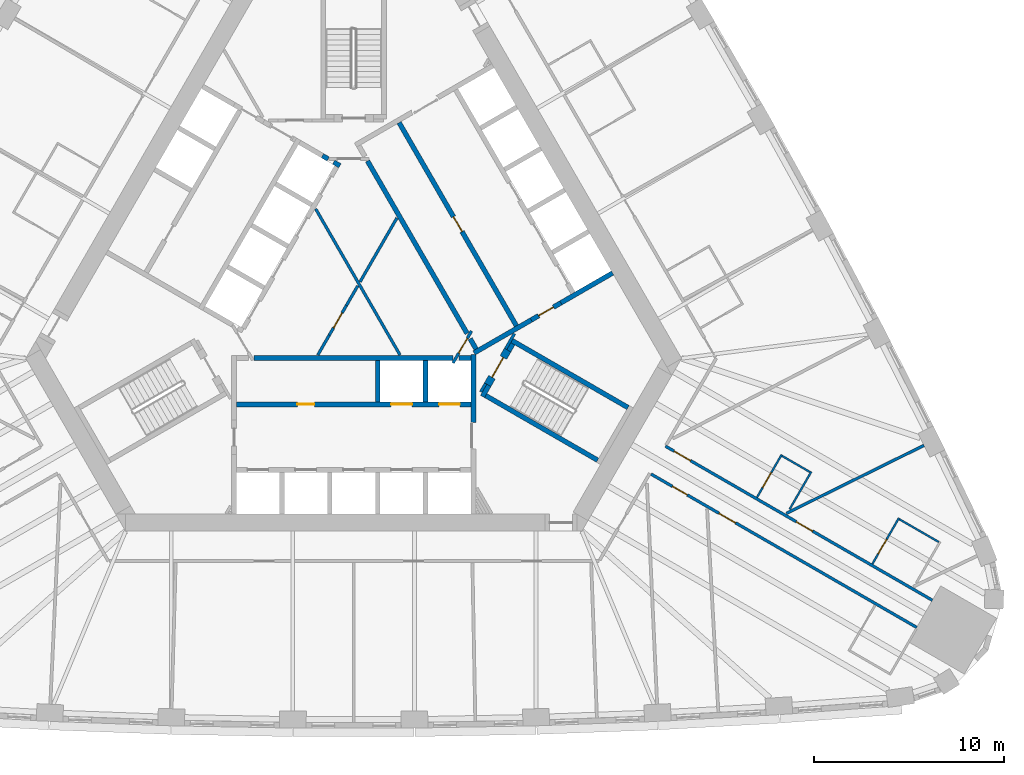
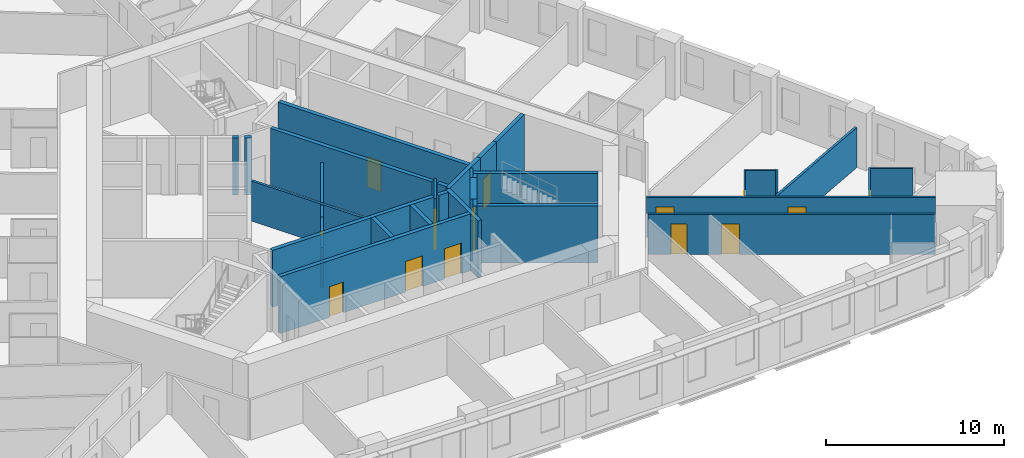
# One storey, part 7 of 12: 35 walls, 14 doors, 14 openings.
"""IFC4 building model written with IfcOpenShell, lengths in metres."""

from ifc_helpers import new_model, si_unit, direction, frame, frame_2d, origin, place, context, subcontext, project, spatial, rectangle, extrude, material, layer, layer_set, type_object, element, fill, save


model = new_model("IFC4")

# Units and contexts
model_context = context("Model", 3, precision=1e-05, world=origin(), true_north=direction((0.0, 1.0)))
body_context = subcontext(model_context, "Body", "Model", "MODEL_VIEW")
ifc_project = project(units=[si_unit("LENGTHUNIT", "METRE"), si_unit("AREAUNIT", "SQUARE_METRE"), si_unit("VOLUMEUNIT", "CUBIC_METRE"), si_unit("PLANEANGLEUNIT", "RADIAN"), si_unit("MASSUNIT", "GRAM", prefix="KILO")], contexts=[model_context])

# Site, building, storey
site_placement = place(None, origin())
site = spatial("IfcSite", under=ifc_project, at=site_placement, CompositionType="ELEMENT")
building_placement = place(site_placement, origin())
building = spatial("IfcBuilding", under=site, at=building_placement, Name="Mestral Congress Tower", CompositionType="ELEMENT")
storey_placement = place(building_placement, frame((0.0, 0.0, 43.199951171875)))
storey = spatial("IfcBuildingStorey", under=building, at=storey_placement, Name="L09", CompositionType="ELEMENT", Elevation=43.199951171875)

# Walls
ifc_material_1 = material(Name="Fire-rated board partition")
ifc_layer_1 = layer(ifc_material_1, 0.14990234375)
ifc_layer_set_1 = layer_set([ifc_layer_1], Name="Fire-rated board partition")
wall_type_1 = type_object("IfcWallType", Name="Core partition 150", PredefinedType="PARTITIONING", material=ifc_layer_set_1)
wall_1_placement = place(storey_placement, frame((-1.886962890625, -3.71826171875, 0.0), z_axis=(0.0, 0.0, 1.0), x_axis=(0.500057179532, 0.865992388649, 0.0)))
element("IfcWall", 1, at=wall_1_placement, inside=storey, type_object=wall_type_1, Name="L09 core wall", PredefinedType="PARTITIONING", context=body_context, shape_type="SweptSolid", body=[
    extrude(rectangle(XDim=1.199462890625, YDim=0.14990234375, at=frame_2d((0.599609375, 0.0))), origin(), (0.0, 0.0, 1.0), 2.75),
])
wall_2_placement = place(storey_placement, frame((6.94482421875, -5.22216796875, 0.0), z_axis=(0.0, 0.0, 1.0), x_axis=(-0.499818422106, -0.866130212453, 0.0)))
element("IfcWall", 2, at=wall_2_placement, inside=storey, type_object=wall_type_1, Name="L09 core wall", PredefinedType="PARTITIONING", context=body_context, shape_type="SweptSolid", body=[
    extrude(rectangle(XDim=0.513916015625, YDim=0.14990234375, at=frame_2d((0.2568359375, 0.0))), origin(), (0.0, 0.0, 1.0), 2.75),
])
wall_3_placement = place(storey_placement, frame((2.435302734375, -3.71826171875, 0.0), z_axis=(0.0, 0.0, 1.0), x_axis=(-0.499985176046, 0.866033962229, 0.0)))
element("IfcWall", 3, at=wall_3_placement, inside=storey, type_object=wall_type_1, Name="L09 core wall", PredefinedType="PARTITIONING", context=body_context, shape_type="SweptSolid", body=[
    extrude(rectangle(XDim=8.875244140625, YDim=0.14990234375, at=frame_2d((4.4375, 0.0))), origin(), (0.0, 0.0, 1.0), 2.75),
])
wall_4_placement = place(storey_placement, frame((0.3359375, 0.1318359375, 0.0), z_axis=(0.0, 0.0, 1.0), x_axis=(0.500001957507, 0.866024273614, 0.0)))
element("IfcWall", 4, at=wall_4_placement, inside=storey, type_object=wall_type_1, Name="L09 core wall", PredefinedType="PARTITIONING", context=body_context, shape_type="SweptSolid", body=[
    extrude(rectangle(XDim=3.88134765625, YDim=0.14990234375, at=frame_2d((1.940673828125, 0.0))), origin(), (0.0, 0.0, 1.0), 2.75),
])
wall_5_placement = place(storey_placement, frame((-0.38720703125, -1.12060546875, 0.0), z_axis=(0.0, 0.0, 1.0), x_axis=(0.500057179532, 0.865992388649, 0.0)))
element("IfcWall", 5, at=wall_5_placement, inside=storey, type_object=wall_type_1, Name="L09 core wall", PredefinedType="PARTITIONING", context=body_context, shape_type="SweptSolid", body=[
    extrude(rectangle(XDim=1.199462890625, YDim=0.14990234375, at=frame_2d((0.599609375, 0.0))), origin(), (0.0, 0.0, 1.0), 2.75),
])

# Wall, opening, door
wall_6_placement = place(storey_placement, frame((-1.287109375, -2.679443359375, 0.0), z_axis=(0.0, 0.0, 1.0), x_axis=(0.499961193289, 0.866047807691, 0.0)))
wall_6 = element("IfcWall", 6, at=wall_6_placement, inside=storey, type_object=wall_type_1, Name="L09 door wall", PredefinedType="PARTITIONING", context=body_context, shape_type="SweptSolid", body=[
    extrude(rectangle(XDim=1.800048828125, YDim=0.14990234375, at=frame_2d((0.89990234375, 0.0))), origin(), (0.0, 0.0, 1.0), 2.75),
])
opening_1_placement = place(wall_6_placement, frame((0.449951171875, 0.0, 0.0)))
opening_1 = element("IfcOpeningElement", 7, at=opening_1_placement, cuts=wall_6, Name="Opening SD-HUB2", PredefinedType="OPENING", context=body_context, shape_type="SweptSolid", body=[
    extrude(rectangle(XDim=0.89990234375, YDim=2.10009765625, at=frame_2d((0.449951171875, 1.050048828125))), frame((0.0, 0.0849609375, 0.0), z_axis=(0.0, -1.0, 0.0), x_axis=(1.0, 0.0, 0.0)), (0.0, 0.0, 1.0), 0.169921875),
])
ifc_material_2 = material(Name="Fire-rated steel door set", Category="steel")
door_type_1 = type_object("IfcDoorType", Name="Core door SR 900x2100", OperationType="SINGLE_SWING_LEFT", PredefinedType="DOOR", material=ifc_material_2)
door_1_placement = place(opening_1_placement, origin())
door_1 = element("IfcDoor", 8, at=door_1_placement, inside=storey, type_object=door_type_1, Name="Door SD-HUB2", OperationType="SINGLE_SWING_LEFT", OverallHeight=2.10009765625, OverallWidth=0.89990234375, PredefinedType="DOOR", context=body_context, shape_type="SweptSolid", body=[
    extrude(rectangle(XDim=0.89990234375, YDim=2.10009765625, at=frame_2d((0.449951171875, 1.050048828125))), frame((0.0, 0.02490234375, 0.0), z_axis=(0.0, -1.0, 0.0), x_axis=(1.0, 0.0, 0.0)), (0.0, 0.0, 1.0), 0.050048828125),
])
fill(opening_1, door_1)

ifc_material_3 = material(Name="Gypsum board partition on metal studs with mineral wool", Category="composite")
ifc_layer_2 = layer(ifc_material_3, 0.10009765625)
ifc_layer_set_2 = layer_set([ifc_layer_2], Name="Gypsum board partition on metal studs with mineral wool")
wall_type_2 = type_object("IfcWallType", Name="Hotel partition wall 100", PredefinedType="PARTITIONING", material=ifc_layer_set_2)
wall_7_placement = place(storey_placement, frame((28.7041015625, -12.300048828125, 0.0), z_axis=(0.0, 0.0, 1.0), x_axis=(-0.49998411664, -0.866034573852, 0.0)))
wall_7 = element("IfcWall", 9, at=wall_7_placement, inside=storey, type_object=wall_type_2, Name="L09-h-pod10a", PredefinedType="PARTITIONING", context=body_context, shape_type="SweptSolid", body=[
    extrude(rectangle(XDim=2.7998046875, YDim=0.10009765625, at=frame_2d((1.39990234375, 0.0))), origin(), (0.0, 0.0, 1.0), 2.75),
])
opening_2_placement = place(wall_7_placement, frame((1.300048828125, 0.0, 0.0)))
opening_2 = element("IfcOpeningElement", 10, at=opening_2_placement, cuts=wall_7, Name="Opening H02-013", PredefinedType="OPENING", context=body_context, shape_type="SweptSolid", body=[
    extrude(rectangle(XDim=0.89990234375, YDim=2.10009765625, at=frame_2d((0.449951171875, 1.050048828125))), frame((0.0, 0.06005859375, 0.0), z_axis=(0.0, -1.0, 0.0), x_axis=(1.0, 0.0, 0.0)), (0.0, 0.0, 1.0), 0.1201171875),
])
ifc_material_4 = material(Name="Timber veneer door leaf in timber frame", Category="wood")
door_type_2 = type_object("IfcDoorType", Name="Bathroom door 900", OperationType="SINGLE_SWING_LEFT", PredefinedType="DOOR", material=ifc_material_4)
door_2_placement = place(opening_2_placement, origin())
door_2 = element("IfcDoor", 11, at=door_2_placement, inside=storey, type_object=door_type_2, Name="L09-h-d013", OperationType="SINGLE_SWING_LEFT", OverallHeight=2.10009765625, OverallWidth=0.89990234375, PredefinedType="DOOR", context=body_context, shape_type="SweptSolid", body=[
    extrude(rectangle(XDim=0.89990234375, YDim=2.10009765625, at=frame_2d((0.449951171875, 1.050048828125))), frame((0.0, 0.02490234375, 0.0), z_axis=(0.0, -1.0, 0.0), x_axis=(1.0, 0.0, 0.0)), (0.0, 0.0, 1.0), 0.050048828125),
])
fill(opening_2, door_2)

# Wall
wall_8_placement = place(storey_placement, frame((28.722412109375, -12.368408203125, 0.0), z_axis=(0.0, 0.0, 1.0), x_axis=(0.866050077142, -0.499957262057, 0.0)))
element("IfcWall", 12, at=wall_8_placement, inside=storey, type_object=wall_type_2, Name="L09-h-pod10b", PredefinedType="PARTITIONING", context=body_context, shape_type="SweptSolid", body=[
    extrude(rectangle(XDim=2.400146484375, YDim=0.10009765625, at=frame_2d((1.2001953125, 0.0))), origin(), (0.0, 0.0, 1.0), 2.75),
])

# Wall, opening, door
wall_9_placement = place(storey_placement, frame((22.5302734375, -8.96630859375, 0.0), z_axis=(0.0, 0.0, 1.0), x_axis=(-0.500006934395, -0.866021400173, 0.0)))
wall_9 = element("IfcWall", 13, at=wall_9_placement, inside=storey, type_object=wall_type_2, Name="L09-h-pod11a", PredefinedType="PARTITIONING", context=body_context, shape_type="SweptSolid", body=[
    extrude(rectangle(XDim=2.60009765625, YDim=0.10009765625, at=frame_2d((1.300048828125, 0.0))), origin(), (0.0, 0.0, 1.0), 2.75),
])
opening_3_placement = place(wall_9_placement, frame((1.10009765625, 0.0, 0.0)))
opening_3 = element("IfcOpeningElement", 14, at=opening_3_placement, cuts=wall_9, Name="Opening H02-015", PredefinedType="OPENING", context=body_context, shape_type="SweptSolid", body=[
    extrude(rectangle(XDim=0.89990234375, YDim=2.10009765625, at=frame_2d((0.449951171875, 1.050048828125))), frame((0.0, 0.06005859375, 0.0), z_axis=(0.0, -1.0, 0.0), x_axis=(1.0, 0.0, 0.0)), (0.0, 0.0, 1.0), 0.1201171875),
])
door_3_placement = place(opening_3_placement, origin())
door_3 = element("IfcDoor", 15, at=door_3_placement, inside=storey, type_object=door_type_2, Name="L09-h-d015", OperationType="SINGLE_SWING_LEFT", OverallHeight=2.10009765625, OverallWidth=0.89990234375, PredefinedType="DOOR", context=body_context, shape_type="SweptSolid", body=[
    extrude(rectangle(XDim=0.89990234375, YDim=2.10009765625, at=frame_2d((0.449951171875, 1.050048828125))), frame((0.0, 0.02490234375, 0.0), z_axis=(0.0, -1.0, 0.0), x_axis=(1.0, 0.0, 0.0)), (0.0, 0.0, 1.0), 0.050048828125),
])
fill(opening_3, door_3)

# Walls
wall_10_placement = place(storey_placement, frame((22.548583984375, -9.03466796875, 0.0), z_axis=(0.0, 0.0, 1.0), x_axis=(0.86605165483, -0.499954529098, 0.0)))
element("IfcWall", 16, at=wall_10_placement, inside=storey, type_object=wall_type_2, Name="L09-h-pod11b", PredefinedType="PARTITIONING", context=body_context, shape_type="SweptSolid", body=[
    extrude(rectangle(XDim=1.699951171875, YDim=0.10009765625, at=frame_2d((0.85009765625, 0.0))), origin(), (0.0, 0.0, 1.0), 2.75),
])
wall_11_placement = place(storey_placement, frame((22.944091796875, -11.849609375, 0.0), z_axis=(0.0, 0.0, 1.0), x_axis=(0.499968531483, 0.866043571379, 0.0)))
element("IfcWall", 17, at=wall_11_placement, inside=storey, type_object=wall_type_2, Name="L09-h-pod11c", PredefinedType="PARTITIONING", context=body_context, shape_type="SweptSolid", body=[
    extrude(rectangle(XDim=2.290283203125, YDim=0.10009765625, at=frame_2d((1.14501953125, 0.0))), origin(), (0.0, 0.0, 1.0), 2.75),
])

# Wall, openings, doors
ifc_layer_3 = layer(ifc_material_3, 0.14990234375)
ifc_layer_set_3 = layer_set([ifc_layer_3], Name="Gypsum board partition on metal studs with mineral wool")
wall_type_3 = type_object("IfcWallType", Name="Hotel partition wall 150", PredefinedType="PARTITIONING", material=ifc_layer_set_3)
wall_12_placement = place(storey_placement, frame((16.412353515625, -8.52294921875, 0.0), z_axis=(0.0, 0.0, 1.0), x_axis=(0.866022197818, -0.500005552856, 0.0)))
wall_12 = element("IfcWall", 18, at=wall_12_placement, inside=storey, type_object=wall_type_3, Name="L09-h-cw01", PredefinedType="PARTITIONING", context=body_context, shape_type="SweptSolid", body=[
    extrude(rectangle(XDim=16.223876953125, YDim=0.14990234375, at=frame_2d((8.11181640625, 0.0))), origin(), (0.0, 0.0, 1.0), 2.75),
])
opening_4_placement = place(wall_12_placement, frame((7.94921875, 0.0, 0.0)))
opening_4 = element("IfcOpeningElement", 19, at=opening_4_placement, cuts=wall_12, Name="Opening H02-012", PredefinedType="OPENING", context=body_context, shape_type="SweptSolid", body=[
    extrude(rectangle(XDim=1.0, YDim=2.10009765625, at=frame_2d((0.5, 1.050048828125))), frame((0.0, 0.0849609375, 0.0), z_axis=(0.0, -1.0, 0.0), x_axis=(1.0, 0.0, 0.0)), (0.0, 0.0, 1.0), 0.169921875),
])
opening_5_placement = place(wall_12_placement, frame((0.526123046875, 0.0, 0.0)))
opening_5 = element("IfcOpeningElement", 20, at=opening_5_placement, cuts=wall_12, Name="Opening H02-014", PredefinedType="OPENING", context=body_context, shape_type="SweptSolid", body=[
    extrude(rectangle(XDim=1.0, YDim=2.10009765625, at=frame_2d((0.5, 1.050048828125))), frame((0.0, 0.0849609375, 0.0), z_axis=(0.0, -1.0, 0.0), x_axis=(1.0, 0.0, 0.0)), (0.0, 0.0, 1.0), 0.169921875),
])
ifc_material_5 = material(Name="Timber veneer door leaf in metal frame", Category="wood")
door_type_3 = type_object("IfcDoorType", Name="Guest room entrance door 1000", OperationType="SINGLE_SWING_LEFT", PredefinedType="DOOR", material=ifc_material_5)
door_4_placement = place(opening_4_placement, origin())
door_4 = element("IfcDoor", 21, at=door_4_placement, inside=storey, type_object=door_type_3, Name="L09-h-d012", OperationType="SINGLE_SWING_LEFT", OverallHeight=2.10009765625, OverallWidth=1.0, PredefinedType="DOOR", context=body_context, shape_type="SweptSolid", body=[
    extrude(rectangle(XDim=1.0, YDim=2.10009765625, at=frame_2d((0.5, 1.050048828125))), frame((0.0, 0.02490234375, 0.0), z_axis=(0.0, -1.0, 0.0), x_axis=(1.0, 0.0, 0.0)), (0.0, 0.0, 1.0), 0.050048828125),
])
fill(opening_4, door_4)
door_5_placement = place(opening_5_placement, origin())
door_5 = element("IfcDoor", 22, at=door_5_placement, inside=storey, type_object=door_type_3, Name="L09-h-d014", OperationType="SINGLE_SWING_LEFT", OverallHeight=2.10009765625, OverallWidth=1.0, PredefinedType="DOOR", context=body_context, shape_type="SweptSolid", body=[
    extrude(rectangle(XDim=1.0, YDim=2.10009765625, at=frame_2d((0.5, 1.050048828125))), frame((0.0, 0.02490234375, 0.0), z_axis=(0.0, -1.0, 0.0), x_axis=(1.0, 0.0, 0.0)), (0.0, 0.0, 1.0), 0.050048828125),
])
fill(opening_5, door_5)

wall_13_placement = place(storey_placement, frame((29.6376953125, -18.06396484375, 0.0), z_axis=(0.0, 0.0, 1.0), x_axis=(-0.866026175601, 0.499998663172, 0.0)))
wall_13 = element("IfcWall", 23, at=wall_13_placement, inside=storey, type_object=wall_type_3, Name="L09-h-cw15", PredefinedType="PARTITIONING", context=body_context, shape_type="SweptSolid", body=[
    extrude(rectangle(XDim=16.14404296875, YDim=0.14990234375, at=frame_2d((8.072021484375, 0.0))), origin(), (0.0, 0.0, 1.0), 2.75),
])
opening_6_placement = place(wall_13_placement, frame((13.9482421875, 0.0, 0.0)))
opening_6 = element("IfcOpeningElement", 24, at=opening_6_placement, cuts=wall_13, Name="Opening H02-009", PredefinedType="OPENING", context=body_context, shape_type="SweptSolid", body=[
    extrude(rectangle(XDim=0.89990234375, YDim=2.10009765625, at=frame_2d((0.449951171875, 1.050048828125))), frame((0.0, 0.0849609375, 0.0), z_axis=(0.0, -1.0, 0.0), x_axis=(1.0, 0.0, 0.0)), (0.0, 0.0, 1.0), 0.169921875),
])
opening_7_placement = place(wall_13_placement, frame((11.003662109375, 0.0, 0.0)))
opening_7 = element("IfcOpeningElement", 25, at=opening_7_placement, cuts=wall_13, Name="Opening H02-010", PredefinedType="OPENING", context=body_context, shape_type="SweptSolid", body=[
    extrude(rectangle(XDim=1.0, YDim=2.10009765625, at=frame_2d((0.5, 1.050048828125))), frame((0.0, 0.0849609375, 0.0), z_axis=(0.0, -1.0, 0.0), x_axis=(1.0, 0.0, 0.0)), (0.0, 0.0, 1.0), 0.169921875),
])
door_6_placement = place(opening_7_placement, origin())
door_6 = element("IfcDoor", 26, at=door_6_placement, inside=storey, type_object=door_type_3, Name="L09-h-d010", OperationType="SINGLE_SWING_RIGHT", OverallHeight=2.10009765625, OverallWidth=1.0, PredefinedType="DOOR", context=body_context, shape_type="SweptSolid", body=[
    extrude(rectangle(XDim=1.0, YDim=2.10009765625, at=frame_2d((0.5, 1.050048828125))), frame((0.0, 0.02490234375, 0.0), z_axis=(0.0, -1.0, 0.0), x_axis=(1.0, 0.0, 0.0)), (0.0, 0.0, 1.0), 0.050048828125),
])
fill(opening_7, door_6)
door_type_4 = type_object("IfcDoorType", Name="Service room door 900", OperationType="SINGLE_SWING_LEFT", PredefinedType="DOOR", material=ifc_material_5)
door_7_placement = place(opening_6_placement, origin())
door_7 = element("IfcDoor", 27, at=door_7_placement, inside=storey, type_object=door_type_4, Name="L09-h-d009", OperationType="SINGLE_SWING_RIGHT", OverallHeight=2.10009765625, OverallWidth=0.89990234375, PredefinedType="DOOR", context=body_context, shape_type="SweptSolid", body=[
    extrude(rectangle(XDim=0.89990234375, YDim=2.10009765625, at=frame_2d((0.449951171875, 1.050048828125))), frame((0.0, 0.02490234375, 0.0), z_axis=(0.0, -1.0, 0.0), x_axis=(1.0, 0.0, 0.0)), (0.0, 0.0, 1.0), 0.050048828125),
])
fill(opening_6, door_7)

# Walls
wall_14_placement = place(storey_placement, frame((30.017578125, -8.48291015625, 0.0), z_axis=(0.0, 0.0, 1.0), x_axis=(-0.896544505264, -0.44295366584, 0.0)))
element("IfcWall", 28, at=wall_14_placement, inside=storey, type_object=wall_type_3, Name="L09-h-pw26", PredefinedType="PARTITIONING", context=body_context, shape_type="SweptSolid", body=[
    extrude(rectangle(XDim=8.078857421875, YDim=0.14990234375, at=frame_2d((4.03955078125, 0.0))), origin(), (0.0, 0.0, 1.0), 2.75),
])
ifc_material_6 = material(Name="Concrete C60/75", Category="concrete")
ifc_layer_4 = layer(ifc_material_6, 0.25)
ifc_layer_set_4 = layer_set([ifc_layer_4], Name="Concrete C60/75")
wall_type_4 = type_object("IfcWallType", Name="Shaft wall RC 250", PredefinedType="SOLIDWALL", material=ifc_layer_set_4)
wall_15_placement = place(storey_placement, frame((-5.25927734375, -3.875, 0.0), z_axis=(0.0, 0.0, 1.0), x_axis=(1.0, 0.0, 0.0)))
element("IfcWall", 29, at=wall_15_placement, inside=storey, type_object=wall_type_4, Name="L09 core wall", PredefinedType="SOLIDWALL", context=body_context, shape_type="SweptSolid", body=[
    extrude(rectangle(XDim=10.488525390625, YDim=0.25, at=frame_2d((5.244140625, 0.0))), origin(), (0.0, 0.0, 1.0), 3.900146484375),
])
for number, where, z_axis, x_axis, name in (
    (30, (3.780029296875, -4.0, 0.0), (0.0, 0.0, 1.0), (0.0, -1.0, 0.0), "L09 core wall"),
    (31, (1.260009765625, -4.0, 0.0), (0.0, 0.0, 1.0), (0.0, -1.0, 0.0), "L09 core wall"),
):
    element("IfcWall", number, at=place(storey_placement, frame(where, z_axis=z_axis, x_axis=x_axis)), inside=storey, type_object=wall_type_4, Name=name, PredefinedType="SOLIDWALL", context=body_context, shape_type="SweptSolid", body=[
        extrude(rectangle(XDim=2.199951171875, YDim=0.25, at=frame_2d((1.10009765625, 0.0))), origin(), (0.0, 0.0, 1.0), 3.900146484375),
    ])
wall_16_placement = place(storey_placement, frame((6.300048828125, -7.27001953125, 0.0), z_axis=(0.0, 0.0, 1.0), x_axis=(0.0, 1.0, 0.0)))
element("IfcWall", 32, at=wall_16_placement, inside=storey, type_object=wall_type_4, Name="L09 core wall", PredefinedType="SOLIDWALL", context=body_context, shape_type="SweptSolid", body=[
    extrude(rectangle(XDim=3.586181640625, YDim=0.25, at=frame_2d((1.79296875, 0.0))), origin(), (0.0, 0.0, 1.0), 3.900146484375),
])
wall_17_placement = place(storey_placement, frame((5.538330078125, -3.875, 0.0), z_axis=(0.0, 0.0, 1.0), x_axis=(1.0, 0.0, 0.0)))
element("IfcWall", 33, at=wall_17_placement, inside=storey, type_object=wall_type_4, Name="L09 core wall", PredefinedType="SOLIDWALL", context=body_context, shape_type="SweptSolid", body=[
    extrude(rectangle(XDim=0.63671875, YDim=0.25, at=frame_2d((0.318359375, 0.0))), origin(), (0.0, 0.0, 1.0), 3.900146484375),
])
wall_18_placement = place(storey_placement, frame((13.62890625, 0.593994140625, 0.0), z_axis=(0.0, 0.0, 1.0), x_axis=(-0.86602790099, -0.499995674689, 0.0)))
element("IfcWall", 34, at=wall_18_placement, inside=storey, type_object=wall_type_4, Name="L09 core wall", PredefinedType="SOLIDWALL", context=body_context, shape_type="SweptSolid", body=[
    extrude(rectangle(XDim=3.1455078125, YDim=0.25, at=frame_2d((1.57275390625, 0.0))), origin(), (0.0, 0.0, 1.0), 3.900146484375),
])
wall_19_placement = place(storey_placement, frame((9.345703125, -1.87890625, 0.0), z_axis=(0.0, 0.0, 1.0), x_axis=(-0.866048528039, -0.499959945477, 0.0)))
element("IfcWall", 35, at=wall_19_placement, inside=storey, type_object=wall_type_4, Name="L09 core wall", PredefinedType="SOLIDWALL", context=body_context, shape_type="SweptSolid", body=[
    extrude(rectangle(XDim=3.470458984375, YDim=0.25, at=frame_2d((1.7353515625, 0.0))), origin(), (0.0, 0.0, 1.0), 3.900146484375),
])
wall_20_placement = place(storey_placement, frame((6.1298828125, -2.867431640625, 0.0), z_axis=(0.0, 0.0, 1.0), x_axis=(0.500160776593, -0.865932559475, 0.0)))
element("IfcWall", 36, at=wall_20_placement, inside=storey, type_object=wall_type_4, Name="L09 core wall", PredefinedType="SOLIDWALL", context=body_context, shape_type="SweptSolid", body=[
    extrude(rectangle(XDim=0.626708984375, YDim=0.25, at=frame_2d((0.3134765625, 0.0))), origin(), (0.0, 0.0, 1.0), 3.900146484375),
])
wall_21_placement = place(storey_placement, frame((5.970458984375, -2.591064453125, 0.0), z_axis=(0.0, 0.0, 1.0), x_axis=(-0.499994469932, 0.866028596547, 0.0)))
element("IfcWall", 37, at=wall_21_placement, inside=storey, type_object=wall_type_4, Name="L09 core wall", PredefinedType="SOLIDWALL", context=body_context, shape_type="SweptSolid", body=[
    extrude(rectangle(XDim=10.48828125, YDim=0.25, at=frame_2d((5.244140625, 0.0))), origin(), (0.0, 0.0, 1.0), 3.900146484375),
])
wall_22_placement = place(storey_placement, frame((-1.34228515625, 6.5947265625, 0.0), z_axis=(0.0, 0.0, 1.0), x_axis=(-0.866046247233, 0.49996389635, 0.0)))
element("IfcWall", 38, at=wall_22_placement, inside=storey, type_object=wall_type_4, Name="L09 core wall", PredefinedType="SOLIDWALL", context=body_context, shape_type="SweptSolid", body=[
    extrude(rectangle(XDim=0.35009765625, YDim=0.25, at=frame_2d((0.175048828125, 0.0))), origin(), (0.0, 0.0, 1.0), 3.900146484375),
])
wall_23_placement = place(storey_placement, frame((-0.7275390625, 6.23974609375, 0.0), z_axis=(0.0, 0.0, 1.0), x_axis=(-0.866088799389, 0.499890179513, 0.0)))
element("IfcWall", 39, at=wall_23_placement, inside=storey, type_object=wall_type_4, Name="L09 core wall", PredefinedType="SOLIDWALL", context=body_context, shape_type="SweptSolid", body=[
    extrude(rectangle(XDim=0.3779296875, YDim=0.25, at=frame_2d((0.18896484375, 0.0))), origin(), (0.0, 0.0, 1.0), 3.900146484375),
])

# Wall, openings, doors
wall_24_placement = place(storey_placement, frame((-6.175048828125, -6.324951171875, 0.0), z_axis=(0.0, 0.0, 1.0), x_axis=(1.0, 0.0, 0.0)))
wall_24 = element("IfcWall", 40, at=wall_24_placement, inside=storey, type_object=wall_type_4, Name="L09 door wall", PredefinedType="SOLIDWALL", context=body_context, shape_type="SweptSolid", body=[
    extrude(rectangle(XDim=12.35009765625, YDim=0.25, at=frame_2d((6.175048828125, 0.0))), origin(), (0.0, 0.0, 1.0), 3.900146484375),
])
opening_8_placement = place(wall_24_placement, frame((3.205078125, 0.0, 0.0)))
opening_8 = element("IfcOpeningElement", 41, at=opening_8_placement, cuts=wall_24, Name="Opening SR-SOB1", PredefinedType="OPENING", context=body_context, shape_type="SweptSolid", body=[
    extrude(rectangle(XDim=0.89990234375, YDim=2.10009765625, at=frame_2d((0.449951171875, 1.050048828125))), frame((0.0, 0.135009765625, 0.0), z_axis=(0.0, -1.0, 0.0), x_axis=(1.0, 0.0, 0.0)), (0.0, 0.0, 1.0), 0.27001953125),
])
opening_9_placement = place(wall_24_placement, frame((8.14501953125, 0.0, 0.0)))
opening_9 = element("IfcOpeningElement", 42, at=opening_9_placement, cuts=wall_24, Name="Opening LD-SOB4", PredefinedType="OPENING", context=body_context, shape_type="SweptSolid", body=[
    extrude(rectangle(XDim=1.10009765625, YDim=2.10009765625, at=frame_2d((0.550048828125, 1.050048828125))), frame((0.0, 0.135009765625, 0.0), z_axis=(0.0, -1.0, 0.0), x_axis=(1.0, 0.0, 0.0)), (0.0, 0.0, 1.0), 0.27001953125),
])
opening_10_placement = place(wall_24_placement, frame((10.6650390625, 0.0, 0.0)))
opening_10 = element("IfcOpeningElement", 43, at=opening_10_placement, cuts=wall_24, Name="Opening LD-SOB5", PredefinedType="OPENING", context=body_context, shape_type="SweptSolid", body=[
    extrude(rectangle(XDim=1.10009765625, YDim=2.10009765625, at=frame_2d((0.550048828125, 1.050048828125))), frame((0.0, 0.135009765625, 0.0), z_axis=(0.0, -1.0, 0.0), x_axis=(1.0, 0.0, 0.0)), (0.0, 0.0, 1.0), 0.27001953125),
])
door_type_5 = type_object("IfcDoorType", Name="Core door LD 1100x2100", OperationType="DOUBLE_DOOR_SLIDING", PredefinedType="DOOR", material=ifc_material_2)
door_8_placement = place(opening_9_placement, origin())
door_8 = element("IfcDoor", 44, at=door_8_placement, inside=storey, type_object=door_type_5, Name="Door LD-SOB4", OperationType="DOUBLE_DOOR_SLIDING", OverallHeight=2.10009765625, OverallWidth=1.10009765625, PredefinedType="DOOR", context=body_context, shape_type="SweptSolid", body=[
    extrude(rectangle(XDim=1.10009765625, YDim=2.10009765625, at=frame_2d((0.550048828125, 1.050048828125))), frame((0.0, 0.02490234375, 0.0), z_axis=(0.0, -1.0, 0.0), x_axis=(1.0, 0.0, 0.0)), (0.0, 0.0, 1.0), 0.050048828125),
])
fill(opening_9, door_8)
door_9_placement = place(opening_10_placement, origin())
door_9 = element("IfcDoor", 45, at=door_9_placement, inside=storey, type_object=door_type_5, Name="Door LD-SOB5", OperationType="DOUBLE_DOOR_SLIDING", OverallHeight=2.10009765625, OverallWidth=1.10009765625, PredefinedType="DOOR", context=body_context, shape_type="SweptSolid", body=[
    extrude(rectangle(XDim=1.10009765625, YDim=2.10009765625, at=frame_2d((0.550048828125, 1.050048828125))), frame((0.0, 0.02490234375, 0.0), z_axis=(0.0, -1.0, 0.0), x_axis=(1.0, 0.0, 0.0)), (0.0, 0.0, 1.0), 0.050048828125),
])
fill(opening_10, door_9)
door_10_placement = place(opening_8_placement, origin())
door_10 = element("IfcDoor", 46, at=door_10_placement, inside=storey, type_object=door_type_1, Name="Door SR-SOB1", OperationType="SINGLE_SWING_LEFT", OverallHeight=2.10009765625, OverallWidth=0.89990234375, PredefinedType="DOOR", context=body_context, shape_type="SweptSolid", body=[
    extrude(rectangle(XDim=0.89990234375, YDim=2.10009765625, at=frame_2d((0.449951171875, 1.050048828125))), frame((0.0, 0.02490234375, 0.0), z_axis=(0.0, -1.0, 0.0), x_axis=(1.0, 0.0, 0.0)), (0.0, 0.0, 1.0), 0.050048828125),
])
fill(opening_8, door_10)

# Wall, opening, door
wall_25_placement = place(storey_placement, frame((8.565185546875, -2.185302734375, 0.0), z_axis=(0.0, 0.0, 1.0), x_axis=(-0.499997954832, 0.866026584559, 0.0)))
wall_25 = element("IfcWall", 47, at=wall_25_placement, inside=storey, type_object=wall_type_4, Name="L09 door wall", PredefinedType="SOLIDWALL", context=body_context, shape_type="SweptSolid", body=[
    extrude(rectangle(XDim=12.35009765625, YDim=0.25, at=frame_2d((6.175048828125, 0.0))), origin(), (0.0, 0.0, 1.0), 3.900146484375),
])
opening_11_placement = place(wall_25_placement, frame((5.72509765625, 0.0, 0.0)))
opening_11 = element("IfcOpeningElement", 48, at=opening_11_placement, cuts=wall_25, Name="Opening SR-NEB1", PredefinedType="OPENING", context=body_context, shape_type="SweptSolid", body=[
    extrude(rectangle(XDim=0.89990234375, YDim=2.10009765625, at=frame_2d((0.449951171875, 1.050048828125))), frame((0.0, 0.135009765625, 0.0), z_axis=(0.0, -1.0, 0.0), x_axis=(1.0, 0.0, 0.0)), (0.0, 0.0, 1.0), 0.27001953125),
])
door_11_placement = place(opening_11_placement, origin())
door_11 = element("IfcDoor", 49, at=door_11_placement, inside=storey, type_object=door_type_1, Name="Door SR-NEB1", OperationType="SINGLE_SWING_LEFT", OverallHeight=2.10009765625, OverallWidth=0.89990234375, PredefinedType="DOOR", context=body_context, shape_type="SweptSolid", body=[
    extrude(rectangle(XDim=0.89990234375, YDim=2.10009765625, at=frame_2d((0.449951171875, 1.050048828125))), frame((0.0, 0.02490234375, 0.0), z_axis=(0.0, -1.0, 0.0), x_axis=(1.0, 0.0, 0.0)), (0.0, 0.0, 1.0), 0.050048828125),
])
fill(opening_11, door_11)

wall_26_placement = place(storey_placement, frame((9.345947265625, -1.878662109375, 0.0), z_axis=(0.0, 0.0, 1.0), x_axis=(0.866047807691, 0.499961193289, 0.0)))
wall_26 = element("IfcWall", 50, at=wall_26_placement, inside=storey, type_object=wall_type_4, Name="L09 door wall", PredefinedType="SOLIDWALL", context=body_context, shape_type="SweptSolid", body=[
    extrude(rectangle(XDim=1.800048828125, YDim=0.25, at=frame_2d((0.89990234375, 0.0))), origin(), (0.0, 0.0, 1.0), 3.900146484375),
])
opening_12_placement = place(wall_26_placement, frame((0.449951171875, 0.0, 0.0)))
opening_12 = element("IfcOpeningElement", 51, at=opening_12_placement, cuts=wall_26, Name="Opening TD1", PredefinedType="OPENING", context=body_context, shape_type="SweptSolid", body=[
    extrude(rectangle(XDim=0.89990234375, YDim=2.10009765625, at=frame_2d((0.449951171875, 1.050048828125))), frame((0.0, 0.135009765625, 0.0), z_axis=(0.0, -1.0, 0.0), x_axis=(1.0, 0.0, 0.0)), (0.0, 0.0, 1.0), 0.27001953125),
])
door_12_placement = place(opening_12_placement, origin())
door_12 = element("IfcDoor", 52, at=door_12_placement, inside=storey, type_object=door_type_1, Name="Door TD1", OperationType="SINGLE_SWING_LEFT", OverallHeight=2.10009765625, OverallWidth=0.89990234375, PredefinedType="DOOR", context=body_context, shape_type="SweptSolid", body=[
    extrude(rectangle(XDim=0.89990234375, YDim=2.10009765625, at=frame_2d((0.449951171875, 1.050048828125))), frame((0.0, 0.02490234375, 0.0), z_axis=(0.0, -1.0, 0.0), x_axis=(1.0, 0.0, 0.0)), (0.0, 0.0, 1.0), 0.050048828125),
])
fill(opening_12, door_12)

# Wall
ifc_layer_5 = layer(ifc_material_6, 0.14990234375)
ifc_layer_set_5 = layer_set([ifc_layer_5], Name="Concrete C60/75")
wall_type_5 = type_object("IfcWallType", Name="Shaft wall RC 250 door-wall 150", PredefinedType="SOLIDWALL", material=ifc_layer_set_5)
wall_27_placement = place(storey_placement, frame((8.459228515625, -2.59912109375, 0.0), z_axis=(0.0, 0.0, 1.0), x_axis=(-0.500041054325, -0.866001699761, 0.0)))
element("IfcWall", 53, at=wall_27_placement, inside=storey, type_object=wall_type_5, Name="L09 core wall", PredefinedType="PARTITIONING", context=body_context, shape_type="SweptSolid", body=[
    extrude(rectangle(XDim=0.9287109375, YDim=0.14990234375, at=frame_2d((0.46435546875, 0.0))), origin(), (0.0, 0.0, 1.0), 3.900146484375),
])

# Wall, opening, door
wall_28_placement = place(storey_placement, frame((6.203369140625, -2.45556640625, 0.0), z_axis=(0.0, 0.0, 1.0), x_axis=(-0.500043961785, -0.866000020948, 0.0)))
wall_28 = element("IfcWall", 54, at=wall_28_placement, inside=storey, type_object=wall_type_5, Name="L09 door wall", PredefinedType="PARTITIONING", context=body_context, shape_type="SweptSolid", body=[
    extrude(rectangle(XDim=1.949951171875, YDim=0.14990234375, at=frame_2d((0.97509765625, 0.0))), origin(), (0.0, 0.0, 1.0), 3.900146484375),
])
opening_13_placement = place(wall_28_placement, frame((0.449951171875, 0.0, 0.0)))
opening_13 = element("IfcOpeningElement", 55, at=opening_13_placement, cuts=wall_28, Name="Opening CD1-HUB0", PredefinedType="OPENING", context=body_context, shape_type="SweptSolid", body=[
    extrude(rectangle(XDim=0.89990234375, YDim=2.10009765625, at=frame_2d((0.449951171875, 1.050048828125))), frame((0.0, 0.0849609375, 0.0), z_axis=(0.0, -1.0, 0.0), x_axis=(1.0, 0.0, 0.0)), (0.0, 0.0, 1.0), 0.169921875),
])
door_type_6 = type_object("IfcDoorType", Name="Core door CD 900x2100", OperationType="SINGLE_SWING_LEFT", PredefinedType="DOOR", material=ifc_material_2)
door_13_placement = place(opening_13_placement, origin())
door_13 = element("IfcDoor", 56, at=door_13_placement, inside=storey, type_object=door_type_6, Name="Door CD1-HUB0", OperationType="SINGLE_SWING_LEFT", OverallHeight=2.10009765625, OverallWidth=0.89990234375, PredefinedType="DOOR", context=body_context, shape_type="SweptSolid", body=[
    extrude(rectangle(XDim=0.89990234375, YDim=2.10009765625, at=frame_2d((0.449951171875, 1.050048828125))), frame((0.0, 0.02490234375, 0.0), z_axis=(0.0, -1.0, 0.0), x_axis=(1.0, 0.0, 0.0)), (0.0, 0.0, 1.0), 0.050048828125),
])
fill(opening_13, door_13)

# Walls
ifc_layer_6 = layer(ifc_material_6, 0.25)
ifc_layer_set_6 = layer_set([ifc_layer_6], Name="Concrete C60/75")
wall_type_6 = type_object("IfcWallType", Name="Stair wall RC 250", PredefinedType="SOLIDWALL", material=ifc_layer_set_6)
wall_29_placement = place(storey_placement, frame((12.83984375, -9.2607421875, 0.0), z_axis=(0.0, 0.0, 1.0), x_axis=(-0.866013990052, 0.500019768644, 0.0)))
element("IfcWall", 57, at=wall_29_placement, inside=storey, type_object=wall_type_6, Name="L09 core wall", PredefinedType="SOLIDWALL", context=body_context, shape_type="SweptSolid", body=[
    extrude(rectangle(XDim=6.800048828125, YDim=0.25, at=frame_2d((3.39990234375, 0.0))), origin(), (0.0, 0.0, 1.0), 3.900146484375),
])
wall_30_placement = place(storey_placement, frame((6.780029296875, -5.906494140625, 0.0), z_axis=(0.0, 0.0, 1.0), x_axis=(0.500223362819, 0.865896406789, 0.0)))
element("IfcWall", 58, at=wall_30_placement, inside=storey, type_object=wall_type_6, Name="L09 core wall", PredefinedType="SOLIDWALL", context=body_context, shape_type="SweptSolid", body=[
    extrude(rectangle(XDim=0.675048828125, YDim=0.25, at=frame_2d((0.33740234375, 0.0))), origin(), (0.0, 0.0, 1.0), 3.900146484375),
])
wall_31_placement = place(storey_placement, frame((8.33447265625, -2.96435546875, 0.0), z_axis=(0.0, 0.0, 1.0), x_axis=(0.866016039709, -0.500016218704, 0.0)))
element("IfcWall", 59, at=wall_31_placement, inside=storey, type_object=wall_type_6, Name="L09 core wall", PredefinedType="SOLIDWALL", context=body_context, shape_type="SweptSolid", body=[
    extrude(rectangle(XDim=7.050048828125, YDim=0.25, at=frame_2d((3.52490234375, 0.0))), origin(), (0.0, 0.0, 1.0), 3.900146484375),
])
wall_32_placement = place(storey_placement, frame((8.167724609375, -3.503173828125, 0.0), z_axis=(0.0, 0.0, 1.0), x_axis=(0.49972245349, 0.866185586049, 0.0)))
element("IfcWall", 60, at=wall_32_placement, inside=storey, type_object=wall_type_6, Name="L09 core wall", PredefinedType="SOLIDWALL", context=body_context, shape_type="SweptSolid", body=[
    extrude(rectangle(XDim=0.425048828125, YDim=0.25, at=frame_2d((0.21240234375, 0.0))), origin(), (0.0, 0.0, 1.0), 3.900146484375),
])

# Wall, opening, door
ifc_layer_7 = layer(ifc_material_6, 0.39990234375)
ifc_layer_set_7 = layer_set([ifc_layer_7], Name="Concrete C60/75")
wall_type_7 = type_object("IfcWallType", Name="Stair wall RC 250 door-wall 400", PredefinedType="SOLIDWALL", material=ifc_layer_set_7)
wall_33_placement = place(storey_placement, frame((7.052734375, -5.2841796875, 0.0), z_axis=(0.0, 0.0, 1.0), x_axis=(0.500078061341, 0.865980330357, 0.0)))
wall_33 = element("IfcWall", 61, at=wall_33_placement, inside=storey, type_object=wall_type_7, Name="L09 door wall", PredefinedType="SOLIDWALL", context=body_context, shape_type="SweptSolid", body=[
    extrude(rectangle(XDim=2.099853515625, YDim=0.39990234375, at=frame_2d((1.0498046875, 0.0))), origin(), (0.0, 0.0, 1.0), 3.900146484375),
])
opening_14_placement = place(wall_33_placement, frame((0.449951171875, 0.0, 0.0)))
opening_14 = element("IfcOpeningElement", 62, at=opening_14_placement, cuts=wall_33, Name="Opening ST-D1", PredefinedType="OPENING", context=body_context, shape_type="SweptSolid", body=[
    extrude(rectangle(XDim=1.199951171875, YDim=2.10009765625, at=frame_2d((0.60009765625, 1.050048828125))), frame((0.0, 0.2099609375, 0.0), z_axis=(0.0, -1.0, 0.0), x_axis=(1.0, 0.0, 0.0)), (0.0, 0.0, 1.0), 0.419921875),
])
door_type_7 = type_object("IfcDoorType", Name="Core door ST 1200x2100", OperationType="SINGLE_SWING_LEFT", PredefinedType="DOOR", material=ifc_material_2)
door_14_placement = place(opening_14_placement, origin())
door_14 = element("IfcDoor", 63, at=door_14_placement, inside=storey, type_object=door_type_7, Name="Door ST-D1", OperationType="SINGLE_SWING_LEFT", OverallHeight=2.10009765625, OverallWidth=1.199951171875, PredefinedType="DOOR", context=body_context, shape_type="SweptSolid", body=[
    extrude(rectangle(XDim=1.199951171875, YDim=2.10009765625, at=frame_2d((0.60009765625, 1.050048828125))), frame((0.0, 0.02490234375, 0.0), z_axis=(0.0, -1.0, 0.0), x_axis=(1.0, 0.0, 0.0)), (0.0, 0.0, 1.0), 0.050048828125),
])
fill(opening_14, door_14)

save(model, "model.ifc")
